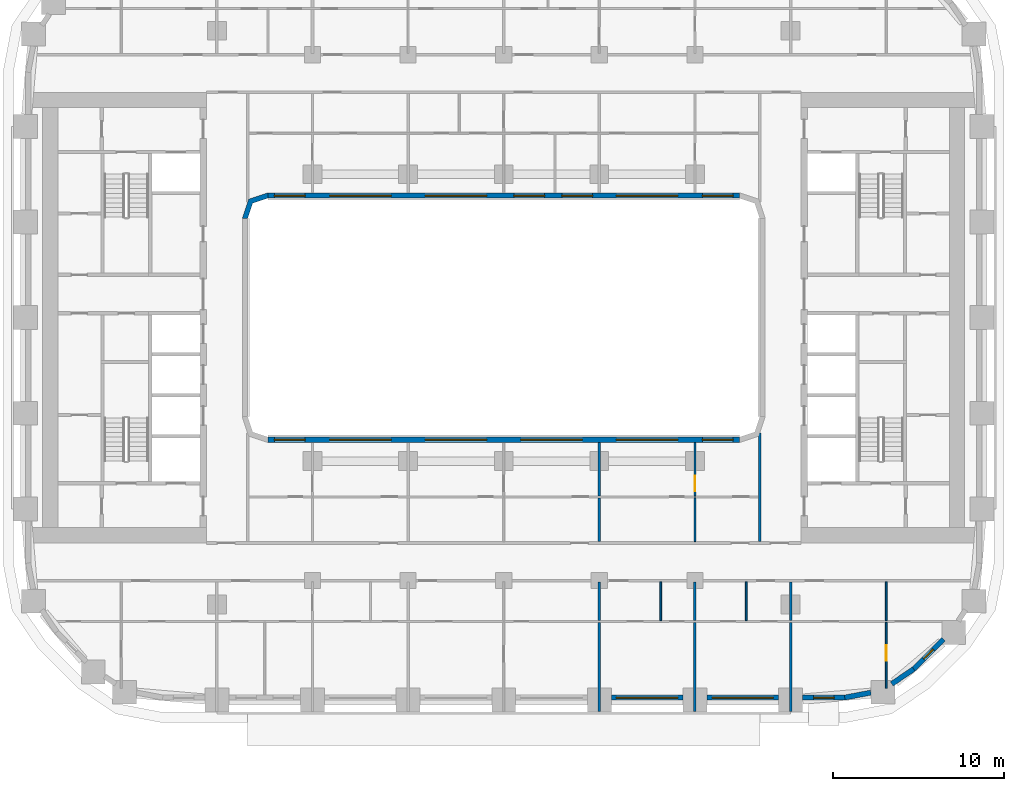
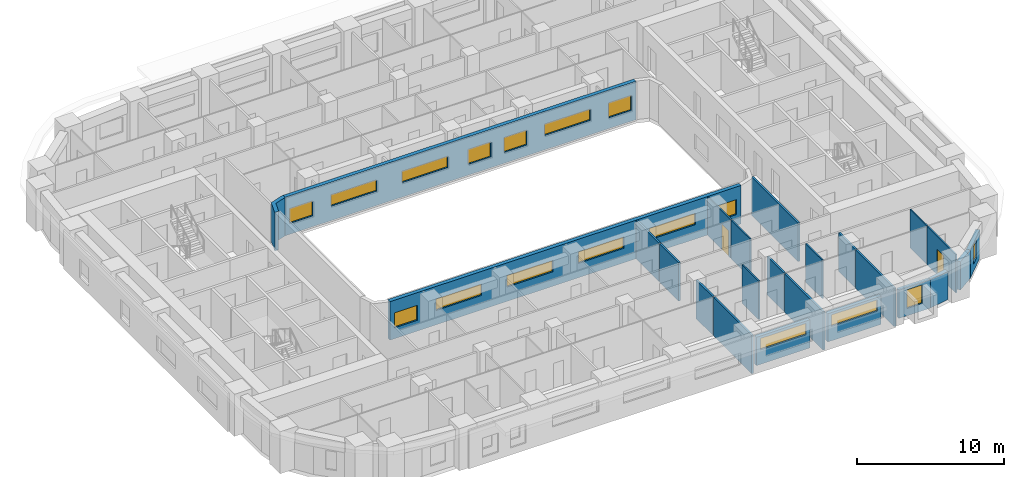
# One storey, part 5 of 22: 24 walls, 17 windows, 2 doors, 19 openings.
"""IFC4 building model written with IfcOpenShell, lengths in metres."""

from ifc_helpers import new_model, si_unit, direction, frame, frame_2d, origin, place, context, subcontext, project, spatial, polyline, rectangle, outline, extrude, material, layer, layer_set, type_object, element, fill, save


model = new_model("IFC4")

# Units and contexts
model_context = context("Model", 3, precision=1e-05, world=origin(), true_north=direction((0.0, 1.0)))
body_context = subcontext(model_context, "Body", "Model", "MODEL_VIEW")
ifc_project = project(units=[si_unit("LENGTHUNIT", "METRE"), si_unit("AREAUNIT", "SQUARE_METRE"), si_unit("VOLUMEUNIT", "CUBIC_METRE"), si_unit("PLANEANGLEUNIT", "RADIAN"), si_unit("MASSUNIT", "GRAM", prefix="KILO")], contexts=[model_context])

# Site, building, storey
site_placement = place(None, origin())
site = spatial("IfcSite", under=ifc_project, at=site_placement, CompositionType="ELEMENT")
building_placement = place(site_placement, origin())
building = spatial("IfcBuilding", under=site, at=building_placement, Name="Kiln Ring Residences", CompositionType="ELEMENT")
storey_placement = place(building_placement, frame((0.0, 0.0, 58.5)))
storey = spatial("IfcBuildingStorey", under=building, at=storey_placement, Name="L14", CompositionType="ELEMENT", Elevation=58.5)

# Wall, opening, window
ifc_material_1 = material(Name="Brick masonry, dark clay brick", Category="masonry")
ifc_layer_1 = layer(ifc_material_1, 0.300048828125)
ifc_layer_set_1 = layer_set([ifc_layer_1], Name="EW-300 BRICK WALL")
wall_type_1 = type_object("IfcWallType", Name="EW-300 BRICK WALL", PredefinedType="SOLIDWALL", material=ifc_layer_set_1)
wall_1_placement = place(storey_placement, frame((6.300048828125, -22.25, 0.0), z_axis=(0.0, 0.0, 1.0), x_axis=(1.0, 0.0, 0.0)))
wall_1 = element("IfcWall", 1, at=wall_1_placement, inside=storey, type_object=wall_type_1, Name="Facade wall L14 9", PredefinedType="SOLIDWALL", context=body_context, shape_type="SweptSolid", body=[
    extrude(rectangle(XDim=4.199951171875, YDim=0.300048828125, at=frame_2d((2.10009765625, 0.0))), origin(), (0.0, 0.0, 1.0), 2.35009765625),
])
opening_1_placement = place(wall_1_placement, frame((0.300048828125, 0.0, 1.199951171875)))
opening_1 = element("IfcOpeningElement", 2, at=opening_1_placement, cuts=wall_1, Name="Opening W4", PredefinedType="OPENING", context=body_context, shape_type="SweptSolid", body=[
    extrude(rectangle(XDim=3.60009765625, YDim=0.949951171875, at=frame_2d((1.800048828125, 0.47509765625))), frame((0.0, 0.159912109375, 0.0), z_axis=(0.0, -1.0, 0.0), x_axis=(1.0, 0.0, 0.0)), (0.0, 0.0, 1.0), 0.320068359375),
])
ifc_material_2 = material(Name="Aluminium frame with double glazing", Category="aluminium")
window_type_1 = type_object("IfcWindowType", Name="WINDOW 3600 x 950", PartitioningType="SINGLE_PANEL", PredefinedType="WINDOW", material=ifc_material_2)
window_1_placement = place(opening_1_placement, origin())
window_1 = element("IfcWindow", 3, at=window_1_placement, inside=storey, type_object=window_type_1, Name="Window L14 8", OverallHeight=0.949951171875, OverallWidth=3.60009765625, PartitioningType="SINGLE_PANEL", PredefinedType="WINDOW", context=body_context, shape_type="SweptSolid", body=[
    extrude(rectangle(XDim=3.60009765625, YDim=0.949951171875, at=frame_2d((1.800048828125, 0.47509765625))), frame((0.0, 0.030029296875, 0.0), z_axis=(0.0, -1.0, 0.0), x_axis=(1.0, 0.0, 0.0)), (0.0, 0.0, 1.0), 0.06005859375),
])
fill(opening_1, window_1)

wall_2_placement = place(storey_placement, frame((11.89990234375, -22.25, 0.0), z_axis=(0.0, 0.0, 1.0), x_axis=(1.0, 0.0, 0.0)))
wall_2 = element("IfcWall", 4, at=wall_2_placement, inside=storey, type_object=wall_type_1, Name="Facade wall L14 10", PredefinedType="SOLIDWALL", context=body_context, shape_type="SweptSolid", body=[
    extrude(rectangle(XDim=4.2001953125, YDim=0.300048828125, at=frame_2d((2.10009765625, 0.0))), origin(), (0.0, 0.0, 1.0), 2.35009765625),
])
opening_2_placement = place(wall_2_placement, frame((0.300048828125, 0.0, 1.199951171875)))
opening_2 = element("IfcOpeningElement", 5, at=opening_2_placement, cuts=wall_2, Name="Opening W4", PredefinedType="OPENING", context=body_context, shape_type="SweptSolid", body=[
    extrude(rectangle(XDim=3.60009765625, YDim=0.949951171875, at=frame_2d((1.800048828125, 0.47509765625))), frame((0.0, 0.159912109375, 0.0), z_axis=(0.0, -1.0, 0.0), x_axis=(1.0, 0.0, 0.0)), (0.0, 0.0, 1.0), 0.320068359375),
])
window_2_placement = place(opening_2_placement, origin())
window_2 = element("IfcWindow", 6, at=window_2_placement, inside=storey, type_object=window_type_1, Name="Window L14 9", OverallHeight=0.949951171875, OverallWidth=3.60009765625, PartitioningType="SINGLE_PANEL", PredefinedType="WINDOW", context=body_context, shape_type="SweptSolid", body=[
    extrude(rectangle(XDim=3.60009765625, YDim=0.949951171875, at=frame_2d((1.800048828125, 0.47509765625))), frame((0.0, 0.030029296875, 0.0), z_axis=(0.0, -1.0, 0.0), x_axis=(1.0, 0.0, 0.0)), (0.0, 0.0, 1.0), 0.06005859375),
])
fill(opening_2, window_2)

wall_3_placement = place(storey_placement, frame((17.5, -22.25, 0.0), z_axis=(0.0, 0.0, 1.0), x_axis=(1.0, 0.0, 0.0)))
wall_3 = element("IfcWall", 7, at=wall_3_placement, inside=storey, type_object=wall_type_1, Name="Facade wall L14 11", PredefinedType="SOLIDWALL", context=body_context, shape_type="SweptSolid", body=[
    extrude(rectangle(XDim=2.5, YDim=0.300048828125, at=frame_2d((1.25, 0.0))), origin(), (0.0, 0.0, 1.0), 2.35009765625),
])
opening_3_placement = place(wall_3_placement, frame((0.64990234375, 0.0, 0.60009765625)))
opening_3 = element("IfcOpeningElement", 8, at=opening_3_placement, cuts=wall_3, Name="Opening W1", PredefinedType="OPENING", context=body_context, shape_type="SweptSolid", body=[
    extrude(rectangle(XDim=1.199951171875, YDim=1.550048828125, at=frame_2d((0.60009765625, 0.77490234375))), frame((0.0, 0.159912109375, 0.0), z_axis=(0.0, -1.0, 0.0), x_axis=(1.0, 0.0, 0.0)), (0.0, 0.0, 1.0), 0.320068359375),
])
ifc_material_3 = material(Name="Aluminium frame with double glazing", Category="aluminium")
window_type_2 = type_object("IfcWindowType", Name="WINDOW 1200 x 1550", PartitioningType="SINGLE_PANEL", PredefinedType="WINDOW", material=ifc_material_3)
window_3_placement = place(opening_3_placement, origin())
window_3 = element("IfcWindow", 9, at=window_3_placement, inside=storey, type_object=window_type_2, Name="Window L14 10", OverallHeight=1.550048828125, OverallWidth=1.199951171875, PartitioningType="SINGLE_PANEL", PredefinedType="WINDOW", context=body_context, shape_type="SweptSolid", body=[
    extrude(rectangle(XDim=1.199951171875, YDim=1.550048828125, at=frame_2d((0.60009765625, 0.77490234375))), frame((0.0, 0.030029296875, 0.0), z_axis=(0.0, -1.0, 0.0), x_axis=(1.0, 0.0, 0.0)), (0.0, 0.0, 1.0), 0.06005859375),
])
fill(opening_3, window_3)

# Walls
wall_4_placement = place(storey_placement, frame((19.971923828125, -22.252685546875, 0.0), z_axis=(0.0, 0.0, 1.0), x_axis=(0.982297345734, 0.187328386968, 0.0)))
element("IfcWall", 10, at=wall_4_placement, inside=storey, type_object=wall_type_1, Name="Facade wall L14 12", PredefinedType="SOLIDWALL", context=body_context, shape_type="SweptSolid", body=[
    extrude(rectangle(XDim=1.55615234375, YDim=0.300048828125, at=frame_2d((0.778076171875, 0.0))), origin(), (0.0, 0.0, 1.0), 2.35009765625),
])
wall_5_placement = place(storey_placement, frame((22.725830078125, -21.45361328125, 0.0), z_axis=(0.0, 0.0, 1.0), x_axis=(0.827019875346, 0.562172683241, 0.0)))
element("IfcWall", 11, at=wall_5_placement, inside=storey, type_object=wall_type_1, Name="Facade wall L14 13", PredefinedType="SOLIDWALL", context=body_context, shape_type="SweptSolid", body=[
    extrude(rectangle(XDim=1.555908203125, YDim=0.300048828125, at=frame_2d((0.77783203125, 0.0))), origin(), (0.0, 0.0, 1.0), 2.35009765625),
])

# Wall, opening, window
wall_6_placement = place(storey_placement, frame((23.990966796875, -20.596923828125, 0.0), z_axis=(0.0, 0.0, 1.0), x_axis=(0.707106781187, 0.707106781187, 0.0)))
wall_6 = element("IfcWall", 12, at=wall_6_placement, inside=storey, type_object=wall_type_1, Name="Facade wall L14 14", PredefinedType="SOLIDWALL", context=body_context, shape_type="SweptSolid", body=[
    extrude(rectangle(XDim=2.5, YDim=0.300048828125, at=frame_2d((1.25, 0.0))), origin(), (0.0, 0.0, 1.0), 2.35009765625),
])
opening_4_placement = place(wall_6_placement, frame((0.85009765625, 0.0, 0.60009765625)))
opening_4 = element("IfcOpeningElement", 13, at=opening_4_placement, cuts=wall_6, Name="Opening W5", PredefinedType="OPENING", context=body_context, shape_type="SweptSolid", body=[
    extrude(rectangle(XDim=0.800048828125, YDim=1.550048828125, at=frame_2d((0.39990234375, 0.77490234375))), frame((0.0, 0.159912109375, 0.0), z_axis=(0.0, -1.0, 0.0), x_axis=(1.0, 0.0, 0.0)), (0.0, 0.0, 1.0), 0.320068359375),
])
ifc_material_4 = material(Name="Aluminium frame with double glazing", Category="aluminium")
window_type_3 = type_object("IfcWindowType", Name="WINDOW 800 x 1550", PartitioningType="SINGLE_PANEL", PredefinedType="WINDOW", material=ifc_material_4)
window_4_placement = place(opening_4_placement, origin())
window_4 = element("IfcWindow", 14, at=window_4_placement, inside=storey, type_object=window_type_3, Name="Window L14 11", OverallHeight=1.550048828125, OverallWidth=0.800048828125, PartitioningType="SINGLE_PANEL", PredefinedType="WINDOW", context=body_context, shape_type="SweptSolid", body=[
    extrude(rectangle(XDim=0.800048828125, YDim=1.550048828125, at=frame_2d((0.39990234375, 0.77490234375))), frame((0.0, 0.030029296875, 0.0), z_axis=(0.0, -1.0, 0.0), x_axis=(1.0, 0.0, 0.0)), (0.0, 0.0, 1.0), 0.06005859375),
])
fill(opening_4, window_4)

# Wall, openings, windows
wall_7_placement = place(storey_placement, frame((-13.800048828125, 7.14990234375, 0.0), z_axis=(0.0, 0.0, 1.0), x_axis=(1.0, 0.0, 0.0)))
wall_7 = element("IfcWall", 15, at=wall_7_placement, inside=storey, type_object=wall_type_1, Name="Facade wall L14 50", PredefinedType="SOLIDWALL", context=body_context, shape_type="SweptSolid", body=[
    extrude(rectangle(XDim=27.60009765625, YDim=0.300048828125, at=frame_2d((13.800048828125, 0.0))), origin(), (0.0, 0.0, 1.0), 3.199951171875),
])
opening_5_placement = place(wall_7_placement, frame((0.362548828125, 0.0, 0.89990234375)))
opening_5 = element("IfcOpeningElement", 16, at=opening_5_placement, cuts=wall_7, Name="Opening W2", PredefinedType="OPENING", context=body_context, shape_type="SweptSolid", body=[
    extrude(rectangle(XDim=1.800048828125, YDim=1.25, at=frame_2d((0.89990234375, 0.625))), frame((0.0, 0.159912109375, 0.0), z_axis=(0.0, -1.0, 0.0), x_axis=(1.0, 0.0, 0.0)), (0.0, 0.0, 1.0), 0.320068359375),
])
opening_6_placement = place(wall_7_placement, frame((3.60009765625, 0.0, 1.199951171875)))
opening_6 = element("IfcOpeningElement", 17, at=opening_6_placement, cuts=wall_7, Name="Opening W4", PredefinedType="OPENING", context=body_context, shape_type="SweptSolid", body=[
    extrude(rectangle(XDim=3.60009765625, YDim=0.949951171875, at=frame_2d((1.800048828125, 0.47509765625))), frame((0.0, 0.159912109375, 0.0), z_axis=(0.0, -1.0, 0.0), x_axis=(1.0, 0.0, 0.0)), (0.0, 0.0, 1.0), 0.320068359375),
])
opening_7_placement = place(wall_7_placement, frame((9.199951171875, 0.0, 1.199951171875)))
opening_7 = element("IfcOpeningElement", 18, at=opening_7_placement, cuts=wall_7, Name="Opening W4", PredefinedType="OPENING", context=body_context, shape_type="SweptSolid", body=[
    extrude(rectangle(XDim=3.60009765625, YDim=0.949951171875, at=frame_2d((1.800048828125, 0.47509765625))), frame((0.0, 0.159912109375, 0.0), z_axis=(0.0, -1.0, 0.0), x_axis=(1.0, 0.0, 0.0)), (0.0, 0.0, 1.0), 0.320068359375),
])
opening_8_placement = place(wall_7_placement, frame((14.39990234375, 0.0, 0.89990234375)))
opening_8 = element("IfcOpeningElement", 19, at=opening_8_placement, cuts=wall_7, Name="Opening W2", PredefinedType="OPENING", context=body_context, shape_type="SweptSolid", body=[
    extrude(rectangle(XDim=1.800048828125, YDim=1.25, at=frame_2d((0.89990234375, 0.625))), frame((0.0, 0.159912109375, 0.0), z_axis=(0.0, -1.0, 0.0), x_axis=(1.0, 0.0, 0.0)), (0.0, 0.0, 1.0), 0.320068359375),
])
opening_9_placement = place(wall_7_placement, frame((17.199951171875, 0.0, 0.89990234375)))
opening_9 = element("IfcOpeningElement", 20, at=opening_9_placement, cuts=wall_7, Name="Opening W2", PredefinedType="OPENING", context=body_context, shape_type="SweptSolid", body=[
    extrude(rectangle(XDim=1.800048828125, YDim=1.25, at=frame_2d((0.89990234375, 0.625))), frame((0.0, 0.159912109375, 0.0), z_axis=(0.0, -1.0, 0.0), x_axis=(1.0, 0.0, 0.0)), (0.0, 0.0, 1.0), 0.320068359375),
])
opening_10_placement = place(wall_7_placement, frame((20.39990234375, 0.0, 1.199951171875)))
opening_10 = element("IfcOpeningElement", 21, at=opening_10_placement, cuts=wall_7, Name="Opening W4", PredefinedType="OPENING", context=body_context, shape_type="SweptSolid", body=[
    extrude(rectangle(XDim=3.60009765625, YDim=0.949951171875, at=frame_2d((1.800048828125, 0.47509765625))), frame((0.0, 0.159912109375, 0.0), z_axis=(0.0, -1.0, 0.0), x_axis=(1.0, 0.0, 0.0)), (0.0, 0.0, 1.0), 0.320068359375),
])
opening_11_placement = place(wall_7_placement, frame((25.4375, 0.0, 0.89990234375)))
opening_11 = element("IfcOpeningElement", 22, at=opening_11_placement, cuts=wall_7, Name="Opening W2", PredefinedType="OPENING", context=body_context, shape_type="SweptSolid", body=[
    extrude(rectangle(XDim=1.800048828125, YDim=1.25, at=frame_2d((0.89990234375, 0.625))), frame((0.0, 0.159912109375, 0.0), z_axis=(0.0, -1.0, 0.0), x_axis=(1.0, 0.0, 0.0)), (0.0, 0.0, 1.0), 0.320068359375),
])
ifc_material_5 = material(Name="Aluminium frame with double glazing", Category="aluminium")
window_type_4 = type_object("IfcWindowType", Name="WINDOW 1800 x 1250", PartitioningType="SINGLE_PANEL", PredefinedType="WINDOW", material=ifc_material_5)
window_5_placement = place(opening_5_placement, origin())
window_5 = element("IfcWindow", 23, at=window_5_placement, inside=storey, type_object=window_type_4, Name="Window L14 23", OverallHeight=1.25, OverallWidth=1.800048828125, PartitioningType="SINGLE_PANEL", PredefinedType="WINDOW", context=body_context, shape_type="SweptSolid", body=[
    extrude(rectangle(XDim=1.800048828125, YDim=1.25, at=frame_2d((0.89990234375, 0.625))), frame((0.0, 0.030029296875, 0.0), z_axis=(0.0, -1.0, 0.0), x_axis=(1.0, 0.0, 0.0)), (0.0, 0.0, 1.0), 0.06005859375),
])
fill(opening_5, window_5)
window_6_placement = place(opening_8_placement, origin())
window_6 = element("IfcWindow", 24, at=window_6_placement, inside=storey, type_object=window_type_4, Name="Window L14 26", OverallHeight=1.25, OverallWidth=1.800048828125, PartitioningType="SINGLE_PANEL", PredefinedType="WINDOW", context=body_context, shape_type="SweptSolid", body=[
    extrude(rectangle(XDim=1.800048828125, YDim=1.25, at=frame_2d((0.89990234375, 0.625))), frame((0.0, 0.030029296875, 0.0), z_axis=(0.0, -1.0, 0.0), x_axis=(1.0, 0.0, 0.0)), (0.0, 0.0, 1.0), 0.06005859375),
])
fill(opening_8, window_6)
window_7_placement = place(opening_9_placement, origin())
window_7 = element("IfcWindow", 25, at=window_7_placement, inside=storey, type_object=window_type_4, Name="Window L14 27", OverallHeight=1.25, OverallWidth=1.800048828125, PartitioningType="SINGLE_PANEL", PredefinedType="WINDOW", context=body_context, shape_type="SweptSolid", body=[
    extrude(rectangle(XDim=1.800048828125, YDim=1.25, at=frame_2d((0.89990234375, 0.625))), frame((0.0, 0.030029296875, 0.0), z_axis=(0.0, -1.0, 0.0), x_axis=(1.0, 0.0, 0.0)), (0.0, 0.0, 1.0), 0.06005859375),
])
fill(opening_9, window_7)
window_8_placement = place(opening_11_placement, origin())
window_8 = element("IfcWindow", 26, at=window_8_placement, inside=storey, type_object=window_type_4, Name="Window L14 29", OverallHeight=1.25, OverallWidth=1.800048828125, PartitioningType="SINGLE_PANEL", PredefinedType="WINDOW", context=body_context, shape_type="SweptSolid", body=[
    extrude(rectangle(XDim=1.800048828125, YDim=1.25, at=frame_2d((0.89990234375, 0.625))), frame((0.0, 0.030029296875, 0.0), z_axis=(0.0, -1.0, 0.0), x_axis=(1.0, 0.0, 0.0)), (0.0, 0.0, 1.0), 0.06005859375),
])
fill(opening_11, window_8)
window_9_placement = place(opening_6_placement, origin())
window_9 = element("IfcWindow", 27, at=window_9_placement, inside=storey, type_object=window_type_1, Name="Window L14 24", OverallHeight=0.949951171875, OverallWidth=3.60009765625, PartitioningType="SINGLE_PANEL", PredefinedType="WINDOW", context=body_context, shape_type="SweptSolid", body=[
    extrude(rectangle(XDim=3.60009765625, YDim=0.949951171875, at=frame_2d((1.800048828125, 0.47509765625))), frame((0.0, 0.030029296875, 0.0), z_axis=(0.0, -1.0, 0.0), x_axis=(1.0, 0.0, 0.0)), (0.0, 0.0, 1.0), 0.06005859375),
])
fill(opening_6, window_9)
window_10_placement = place(opening_7_placement, origin())
window_10 = element("IfcWindow", 28, at=window_10_placement, inside=storey, type_object=window_type_1, Name="Window L14 25", OverallHeight=0.949951171875, OverallWidth=3.60009765625, PartitioningType="SINGLE_PANEL", PredefinedType="WINDOW", context=body_context, shape_type="SweptSolid", body=[
    extrude(rectangle(XDim=3.60009765625, YDim=0.949951171875, at=frame_2d((1.800048828125, 0.47509765625))), frame((0.0, 0.030029296875, 0.0), z_axis=(0.0, -1.0, 0.0), x_axis=(1.0, 0.0, 0.0)), (0.0, 0.0, 1.0), 0.06005859375),
])
fill(opening_7, window_10)
window_11_placement = place(opening_10_placement, origin())
window_11 = element("IfcWindow", 29, at=window_11_placement, inside=storey, type_object=window_type_1, Name="Window L14 28", OverallHeight=0.949951171875, OverallWidth=3.60009765625, PartitioningType="SINGLE_PANEL", PredefinedType="WINDOW", context=body_context, shape_type="SweptSolid", body=[
    extrude(rectangle(XDim=3.60009765625, YDim=0.949951171875, at=frame_2d((1.800048828125, 0.47509765625))), frame((0.0, 0.030029296875, 0.0), z_axis=(0.0, -1.0, 0.0), x_axis=(1.0, 0.0, 0.0)), (0.0, 0.0, 1.0), 0.06005859375),
])
fill(opening_10, window_11)

wall_8_placement = place(storey_placement, frame((13.800048828125, -7.14990234375, 0.0), z_axis=(0.0, 0.0, 1.0), x_axis=(-1.0, 0.0, 0.0)))
wall_8 = element("IfcWall", 30, at=wall_8_placement, inside=storey, type_object=wall_type_1, Name="Facade wall L14 52", PredefinedType="SOLIDWALL", context=body_context, shape_type="SweptSolid", body=[
    extrude(rectangle(XDim=27.60009765625, YDim=0.300048828125, at=frame_2d((13.800048828125, 0.0))), origin(), (0.0, 0.0, 1.0), 3.199951171875),
])
opening_12_placement = place(wall_8_placement, frame((0.362548828125, 0.0, 0.89990234375)))
opening_12 = element("IfcOpeningElement", 31, at=opening_12_placement, cuts=wall_8, Name="Opening W2", PredefinedType="OPENING", context=body_context, shape_type="SweptSolid", body=[
    extrude(rectangle(XDim=1.800048828125, YDim=1.25, at=frame_2d((0.89990234375, 0.625))), frame((0.0, 0.159912109375, 0.0), z_axis=(0.0, -1.0, 0.0), x_axis=(1.0, 0.0, 0.0)), (0.0, 0.0, 1.0), 0.320068359375),
])
opening_13_placement = place(wall_8_placement, frame((3.60009765625, 0.0, 1.199951171875)))
opening_13 = element("IfcOpeningElement", 32, at=opening_13_placement, cuts=wall_8, Name="Opening W4", PredefinedType="OPENING", context=body_context, shape_type="SweptSolid", body=[
    extrude(rectangle(XDim=3.60009765625, YDim=0.949951171875, at=frame_2d((1.800048828125, 0.47509765625))), frame((0.0, 0.159912109375, 0.0), z_axis=(0.0, -1.0, 0.0), x_axis=(1.0, 0.0, 0.0)), (0.0, 0.0, 1.0), 0.320068359375),
])
opening_14_placement = place(wall_8_placement, frame((9.199951171875, 0.0, 1.199951171875)))
opening_14 = element("IfcOpeningElement", 33, at=opening_14_placement, cuts=wall_8, Name="Opening W4", PredefinedType="OPENING", context=body_context, shape_type="SweptSolid", body=[
    extrude(rectangle(XDim=3.60009765625, YDim=0.949951171875, at=frame_2d((1.800048828125, 0.47509765625))), frame((0.0, 0.159912109375, 0.0), z_axis=(0.0, -1.0, 0.0), x_axis=(1.0, 0.0, 0.0)), (0.0, 0.0, 1.0), 0.320068359375),
])
opening_15_placement = place(wall_8_placement, frame((14.800048828125, 0.0, 1.199951171875)))
opening_15 = element("IfcOpeningElement", 34, at=opening_15_placement, cuts=wall_8, Name="Opening W4", PredefinedType="OPENING", context=body_context, shape_type="SweptSolid", body=[
    extrude(rectangle(XDim=3.60009765625, YDim=0.949951171875, at=frame_2d((1.800048828125, 0.47509765625))), frame((0.0, 0.159912109375, 0.0), z_axis=(0.0, -1.0, 0.0), x_axis=(1.0, 0.0, 0.0)), (0.0, 0.0, 1.0), 0.320068359375),
])
opening_16_placement = place(wall_8_placement, frame((20.39990234375, 0.0, 1.199951171875)))
opening_16 = element("IfcOpeningElement", 35, at=opening_16_placement, cuts=wall_8, Name="Opening W4", PredefinedType="OPENING", context=body_context, shape_type="SweptSolid", body=[
    extrude(rectangle(XDim=3.60009765625, YDim=0.949951171875, at=frame_2d((1.800048828125, 0.47509765625))), frame((0.0, 0.159912109375, 0.0), z_axis=(0.0, -1.0, 0.0), x_axis=(1.0, 0.0, 0.0)), (0.0, 0.0, 1.0), 0.320068359375),
])
opening_17_placement = place(wall_8_placement, frame((25.4375, 0.0, 0.89990234375)))
opening_17 = element("IfcOpeningElement", 36, at=opening_17_placement, cuts=wall_8, Name="Opening W2", PredefinedType="OPENING", context=body_context, shape_type="SweptSolid", body=[
    extrude(rectangle(XDim=1.800048828125, YDim=1.25, at=frame_2d((0.89990234375, 0.625))), frame((0.0, 0.159912109375, 0.0), z_axis=(0.0, -1.0, 0.0), x_axis=(1.0, 0.0, 0.0)), (0.0, 0.0, 1.0), 0.320068359375),
])
window_12_placement = place(opening_12_placement, origin())
window_12 = element("IfcWindow", 37, at=window_12_placement, inside=storey, type_object=window_type_4, Name="Window L14 30", OverallHeight=1.25, OverallWidth=1.800048828125, PartitioningType="SINGLE_PANEL", PredefinedType="WINDOW", context=body_context, shape_type="SweptSolid", body=[
    extrude(rectangle(XDim=1.800048828125, YDim=1.25, at=frame_2d((0.89990234375, 0.625))), frame((0.0, 0.030029296875, 0.0), z_axis=(0.0, -1.0, 0.0), x_axis=(1.0, 0.0, 0.0)), (0.0, 0.0, 1.0), 0.06005859375),
])
fill(opening_12, window_12)
window_13_placement = place(opening_17_placement, origin())
window_13 = element("IfcWindow", 38, at=window_13_placement, inside=storey, type_object=window_type_4, Name="Window L14 35", OverallHeight=1.25, OverallWidth=1.800048828125, PartitioningType="SINGLE_PANEL", PredefinedType="WINDOW", context=body_context, shape_type="SweptSolid", body=[
    extrude(rectangle(XDim=1.800048828125, YDim=1.25, at=frame_2d((0.89990234375, 0.625))), frame((0.0, 0.030029296875, 0.0), z_axis=(0.0, -1.0, 0.0), x_axis=(1.0, 0.0, 0.0)), (0.0, 0.0, 1.0), 0.06005859375),
])
fill(opening_17, window_13)
window_14_placement = place(opening_13_placement, origin())
window_14 = element("IfcWindow", 39, at=window_14_placement, inside=storey, type_object=window_type_1, Name="Window L14 31", OverallHeight=0.949951171875, OverallWidth=3.60009765625, PartitioningType="SINGLE_PANEL", PredefinedType="WINDOW", context=body_context, shape_type="SweptSolid", body=[
    extrude(rectangle(XDim=3.60009765625, YDim=0.949951171875, at=frame_2d((1.800048828125, 0.47509765625))), frame((0.0, 0.030029296875, 0.0), z_axis=(0.0, -1.0, 0.0), x_axis=(1.0, 0.0, 0.0)), (0.0, 0.0, 1.0), 0.06005859375),
])
fill(opening_13, window_14)
window_15_placement = place(opening_14_placement, origin())
window_15 = element("IfcWindow", 40, at=window_15_placement, inside=storey, type_object=window_type_1, Name="Window L14 32", OverallHeight=0.949951171875, OverallWidth=3.60009765625, PartitioningType="SINGLE_PANEL", PredefinedType="WINDOW", context=body_context, shape_type="SweptSolid", body=[
    extrude(rectangle(XDim=3.60009765625, YDim=0.949951171875, at=frame_2d((1.800048828125, 0.47509765625))), frame((0.0, 0.030029296875, 0.0), z_axis=(0.0, -1.0, 0.0), x_axis=(1.0, 0.0, 0.0)), (0.0, 0.0, 1.0), 0.06005859375),
])
fill(opening_14, window_15)
window_16_placement = place(opening_15_placement, origin())
window_16 = element("IfcWindow", 41, at=window_16_placement, inside=storey, type_object=window_type_1, Name="Window L14 33", OverallHeight=0.949951171875, OverallWidth=3.60009765625, PartitioningType="SINGLE_PANEL", PredefinedType="WINDOW", context=body_context, shape_type="SweptSolid", body=[
    extrude(rectangle(XDim=3.60009765625, YDim=0.949951171875, at=frame_2d((1.800048828125, 0.47509765625))), frame((0.0, 0.030029296875, 0.0), z_axis=(0.0, -1.0, 0.0), x_axis=(1.0, 0.0, 0.0)), (0.0, 0.0, 1.0), 0.06005859375),
])
fill(opening_15, window_16)
window_17_placement = place(opening_16_placement, origin())
window_17 = element("IfcWindow", 42, at=window_17_placement, inside=storey, type_object=window_type_1, Name="Window L14 34", OverallHeight=0.949951171875, OverallWidth=3.60009765625, PartitioningType="SINGLE_PANEL", PredefinedType="WINDOW", context=body_context, shape_type="SweptSolid", body=[
    extrude(rectangle(XDim=3.60009765625, YDim=0.949951171875, at=frame_2d((1.800048828125, 0.47509765625))), frame((0.0, 0.030029296875, 0.0), z_axis=(0.0, -1.0, 0.0), x_axis=(1.0, 0.0, 0.0)), (0.0, 0.0, 1.0), 0.06005859375),
])
fill(opening_16, window_17)

# Walls
wall_9_placement = place(storey_placement, origin())
element("IfcWall", 43, at=wall_9_placement, inside=storey, type_object=wall_type_1, Name="Corner wall L14 1", PredefinedType="SOLIDWALL", context=body_context, shape_type="SweptSolid", body=[
    extrude(outline(polyline([(-13.8486328125, 7.300048828125), (-14.937255859375, 6.937255859375), (-15.300048828125, 5.8486328125), (-15.300048828125, 5.800048828125), (-15.0, 5.800048828125), (-14.699951171875, 6.699951171875), (-13.800048828125, 7.0), (-13.800048828125, 7.300048828125), (-13.8486328125, 7.300048828125)])), origin(), (0.0, 0.0, 1.0), 3.199951171875),
])
ifc_material_6 = material(Name="Gypsum board on steel studs", Category="steel")
ifc_layer_2 = layer(ifc_material_6, 0.10009765625)
ifc_layer_set_2 = layer_set([ifc_layer_2], Name="PARTITION-100")
wall_type_2 = type_object("IfcWallType", Name="PARTITION-100", PredefinedType="PARTITIONING", material=ifc_layer_set_2)
wall_10_placement = place(storey_placement, frame((9.199951171875, -17.75, 0.0), z_axis=(0.0, 0.0, 1.0), x_axis=(0.0, 1.0, 0.0)))
element("IfcWall", 44, at=wall_10_placement, inside=storey, type_object=wall_type_2, Name="Partition 056", PredefinedType="PARTITIONING", context=body_context, shape_type="SweptSolid", body=[
    extrude(rectangle(XDim=2.27490234375, YDim=0.10009765625, at=frame_2d((1.137451171875, 0.0))), origin(), (0.0, 0.0, 1.0), 3.199951171875),
])
wall_11_placement = place(storey_placement, frame((11.199951171875, -13.125, 0.0), z_axis=(0.0, 0.0, 1.0), x_axis=(0.0, 1.0, 0.0)))
element("IfcWall", 45, at=wall_11_placement, inside=storey, type_object=wall_type_2, Name="Partition 057", PredefinedType="PARTITIONING", context=body_context, shape_type="SweptSolid", body=[
    extrude(rectangle(XDim=2.574951171875, YDim=0.10009765625, at=frame_2d((1.28759765625, 0.0))), origin(), (0.0, 0.0, 1.0), 3.199951171875),
])

# Wall, opening, door
wall_12_placement = place(storey_placement, frame((11.199951171875, -10.449951171875, 0.0), z_axis=(0.0, 0.0, 1.0), x_axis=(0.0, 1.0, 0.0)))
wall_12 = element("IfcWall", 46, at=wall_12_placement, inside=storey, type_object=wall_type_2, Name="Partition 058", PredefinedType="PARTITIONING", context=body_context, shape_type="SweptSolid", body=[
    extrude(rectangle(XDim=3.1298828125, YDim=0.10009765625, at=frame_2d((1.56494140625, 0.0))), origin(), (0.0, 0.0, 1.0), 3.199951171875),
])
opening_18_placement = place(wall_12_placement, frame((0.280029296875, 0.0, 0.0)))
opening_18 = element("IfcOpeningElement", 47, at=opening_18_placement, cuts=wall_12, Name="Opening L14-D052", PredefinedType="OPENING", context=body_context, shape_type="SweptSolid", body=[
    extrude(rectangle(XDim=0.89990234375, YDim=2.10009765625, at=frame_2d((0.449951171875, 1.050048828125))), frame((0.0, 0.06005859375, 0.0), z_axis=(0.0, -1.0, 0.0), x_axis=(1.0, 0.0, 0.0)), (0.0, 0.0, 1.0), 0.1201171875),
])
ifc_material_7 = material(Name="Timber door leaf", Category="wood")
door_type = type_object("IfcDoorType", Name="FLAT-DOOR-900-PL", OperationType="SINGLE_SWING_LEFT", PredefinedType="DOOR", material=ifc_material_7)
door_1_placement = place(opening_18_placement, origin())
door_1 = element("IfcDoor", 48, at=door_1_placement, inside=storey, type_object=door_type, Name="Door L14-D052", OperationType="SINGLE_SWING_RIGHT", OverallHeight=2.10009765625, OverallWidth=0.89990234375, PredefinedType="DOOR", context=body_context, shape_type="SweptSolid", body=[
    extrude(rectangle(XDim=0.89990234375, YDim=2.10009765625, at=frame_2d((0.449951171875, 1.050048828125))), frame((0.0, 0.02490234375, 0.0), z_axis=(0.0, -1.0, 0.0), x_axis=(1.0, 0.0, 0.0)), (0.0, 0.0, 1.0), 0.050048828125),
])
fill(opening_18, door_1)

# Wall
wall_13_placement = place(storey_placement, frame((14.199951171875, -17.75, 0.0), z_axis=(0.0, 0.0, 1.0), x_axis=(0.0, 1.0, 0.0)))
element("IfcWall", 49, at=wall_13_placement, inside=storey, type_object=wall_type_2, Name="Partition 065", PredefinedType="PARTITIONING", context=body_context, shape_type="SweptSolid", body=[
    extrude(rectangle(XDim=2.27490234375, YDim=0.10009765625, at=frame_2d((1.137451171875, 0.0))), origin(), (0.0, 0.0, 1.0), 3.199951171875),
])

# Wall, opening, door
wall_14_placement = place(storey_placement, frame((22.39990234375, -21.719970703125, 0.0), z_axis=(0.0, 0.0, 1.0), x_axis=(0.0, 1.0, 0.0)))
wall_14 = element("IfcWall", 50, at=wall_14_placement, inside=storey, type_object=wall_type_2, Name="Partition 072", PredefinedType="PARTITIONING", context=body_context, shape_type="SweptSolid", body=[
    extrude(rectangle(XDim=3.869873046875, YDim=0.10009765625, at=frame_2d((1.93505859375, 0.0))), origin(), (0.0, 0.0, 1.0), 3.199951171875),
])
opening_19_placement = place(wall_14_placement, frame((1.6220703125, 0.0, 0.0)))
opening_19 = element("IfcOpeningElement", 51, at=opening_19_placement, cuts=wall_14, Name="Opening L14-D076", PredefinedType="OPENING", context=body_context, shape_type="SweptSolid", body=[
    extrude(rectangle(XDim=0.89990234375, YDim=2.10009765625, at=frame_2d((0.449951171875, 1.050048828125))), frame((0.0, 0.06005859375, 0.0), z_axis=(0.0, -1.0, 0.0), x_axis=(1.0, 0.0, 0.0)), (0.0, 0.0, 1.0), 0.1201171875),
])
door_2_placement = place(opening_19_placement, origin())
door_2 = element("IfcDoor", 52, at=door_2_placement, inside=storey, type_object=door_type, Name="Door L14-D076", OperationType="SINGLE_SWING_RIGHT", OverallHeight=2.10009765625, OverallWidth=0.89990234375, PredefinedType="DOOR", context=body_context, shape_type="SweptSolid", body=[
    extrude(rectangle(XDim=0.89990234375, YDim=2.10009765625, at=frame_2d((0.449951171875, 1.050048828125))), frame((0.0, 0.02490234375, 0.0), z_axis=(0.0, -1.0, 0.0), x_axis=(1.0, 0.0, 0.0)), (0.0, 0.0, 1.0), 0.050048828125),
])
fill(opening_19, door_2)

# Walls
wall_15_placement = place(storey_placement, frame((22.39990234375, -17.75, 0.0), z_axis=(0.0, 0.0, 1.0), x_axis=(0.0, 1.0, 0.0)))
element("IfcWall", 53, at=wall_15_placement, inside=storey, type_object=wall_type_2, Name="Partition 073", PredefinedType="PARTITIONING", context=body_context, shape_type="SweptSolid", body=[
    extrude(rectangle(XDim=2.27490234375, YDim=0.10009765625, at=frame_2d((1.137451171875, 0.0))), origin(), (0.0, 0.0, 1.0), 3.199951171875),
])
ifc_material_8 = material(Name="Brick masonry partition", Category="masonry")
ifc_layer_3 = layer(ifc_material_8, 0.14990234375)
ifc_layer_set_3 = layer_set([ifc_layer_3], Name="PARTITION-150-ei60")
wall_type_3 = type_object("IfcWallType", Name="PARTITION-150-ei60", PredefinedType="PARTITIONING", material=ifc_layer_set_3)
wall_16_placement = place(storey_placement, frame((5.60009765625, -23.080078125, 0.0), z_axis=(0.0, 0.0, 1.0), x_axis=(0.0, 1.0, 0.0)))
element("IfcWall", 54, at=wall_16_placement, inside=storey, type_object=wall_type_3, Name="Partition 050", PredefinedType="PARTITIONING", context=body_context, shape_type="SweptSolid", body=[
    extrude(rectangle(XDim=5.22998046875, YDim=0.14990234375, at=frame_2d((2.614990234375, 0.0))), origin(), (0.0, 0.0, 1.0), 3.199951171875),
])
wall_17_placement = place(storey_placement, frame((5.60009765625, -17.75, 0.0), z_axis=(0.0, 0.0, 1.0), x_axis=(0.0, 1.0, 0.0)))
element("IfcWall", 55, at=wall_17_placement, inside=storey, type_object=wall_type_3, Name="Partition 051", PredefinedType="PARTITIONING", context=body_context, shape_type="SweptSolid", body=[
    extrude(rectangle(XDim=2.27490234375, YDim=0.14990234375, at=frame_2d((1.137451171875, 0.0))), origin(), (0.0, 0.0, 1.0), 3.199951171875),
])
wall_18_placement = place(storey_placement, frame((5.60009765625, -13.125, 0.0), z_axis=(0.0, 0.0, 1.0), x_axis=(0.0, 1.0, 0.0)))
element("IfcWall", 56, at=wall_18_placement, inside=storey, type_object=wall_type_3, Name="Partition 052", PredefinedType="PARTITIONING", context=body_context, shape_type="SweptSolid", body=[
    extrude(rectangle(XDim=2.574951171875, YDim=0.14990234375, at=frame_2d((1.28759765625, 0.0))), origin(), (0.0, 0.0, 1.0), 3.199951171875),
])
wall_19_placement = place(storey_placement, frame((5.60009765625, -10.449951171875, 0.0), z_axis=(0.0, 0.0, 1.0), x_axis=(0.0, 1.0, 0.0)))
element("IfcWall", 57, at=wall_19_placement, inside=storey, type_object=wall_type_3, Name="Partition 053", PredefinedType="PARTITIONING", context=body_context, shape_type="SweptSolid", body=[
    extrude(rectangle(XDim=3.1298828125, YDim=0.14990234375, at=frame_2d((1.56494140625, 0.0))), origin(), (0.0, 0.0, 1.0), 3.199951171875),
])
wall_20_placement = place(storey_placement, frame((11.199951171875, -23.080078125, 0.0), z_axis=(0.0, 0.0, 1.0), x_axis=(0.0, 1.0, 0.0)))
element("IfcWall", 58, at=wall_20_placement, inside=storey, type_object=wall_type_3, Name="Partition 063", PredefinedType="PARTITIONING", context=body_context, shape_type="SweptSolid", body=[
    extrude(rectangle(XDim=5.22998046875, YDim=0.14990234375, at=frame_2d((2.614990234375, 0.0))), origin(), (0.0, 0.0, 1.0), 3.199951171875),
])
wall_21_placement = place(storey_placement, frame((11.199951171875, -17.75, 0.0), z_axis=(0.0, 0.0, 1.0), x_axis=(0.0, 1.0, 0.0)))
element("IfcWall", 59, at=wall_21_placement, inside=storey, type_object=wall_type_3, Name="Partition 064", PredefinedType="PARTITIONING", context=body_context, shape_type="SweptSolid", body=[
    extrude(rectangle(XDim=2.27490234375, YDim=0.14990234375, at=frame_2d((1.137451171875, 0.0))), origin(), (0.0, 0.0, 1.0), 3.199951171875),
])
wall_22_placement = place(storey_placement, frame((15.0, -13.125, 0.0), z_axis=(0.0, 0.0, 1.0), x_axis=(0.0, 1.0, 0.0)))
element("IfcWall", 60, at=wall_22_placement, inside=storey, type_object=wall_type_3, Name="Partition 066", PredefinedType="PARTITIONING", context=body_context, shape_type="SweptSolid", body=[
    extrude(rectangle(XDim=6.356201171875, YDim=0.14990234375, at=frame_2d((3.17822265625, 0.0))), origin(), (0.0, 0.0, 1.0), 3.199951171875),
])
wall_23_placement = place(storey_placement, frame((16.800048828125, -23.080078125, 0.0), z_axis=(0.0, 0.0, 1.0), x_axis=(0.0, 1.0, 0.0)))
element("IfcWall", 61, at=wall_23_placement, inside=storey, type_object=wall_type_3, Name="Partition 068", PredefinedType="PARTITIONING", context=body_context, shape_type="SweptSolid", body=[
    extrude(rectangle(XDim=5.22998046875, YDim=0.14990234375, at=frame_2d((2.614990234375, 0.0))), origin(), (0.0, 0.0, 1.0), 3.199951171875),
])
wall_24_placement = place(storey_placement, frame((16.800048828125, -17.75, 0.0), z_axis=(0.0, 0.0, 1.0), x_axis=(0.0, 1.0, 0.0)))
element("IfcWall", 62, at=wall_24_placement, inside=storey, type_object=wall_type_3, Name="Partition 069", PredefinedType="PARTITIONING", context=body_context, shape_type="SweptSolid", body=[
    extrude(rectangle(XDim=2.27490234375, YDim=0.14990234375, at=frame_2d((1.137451171875, 0.0))), origin(), (0.0, 0.0, 1.0), 3.199951171875),
])

save(model, "model.ifc")
